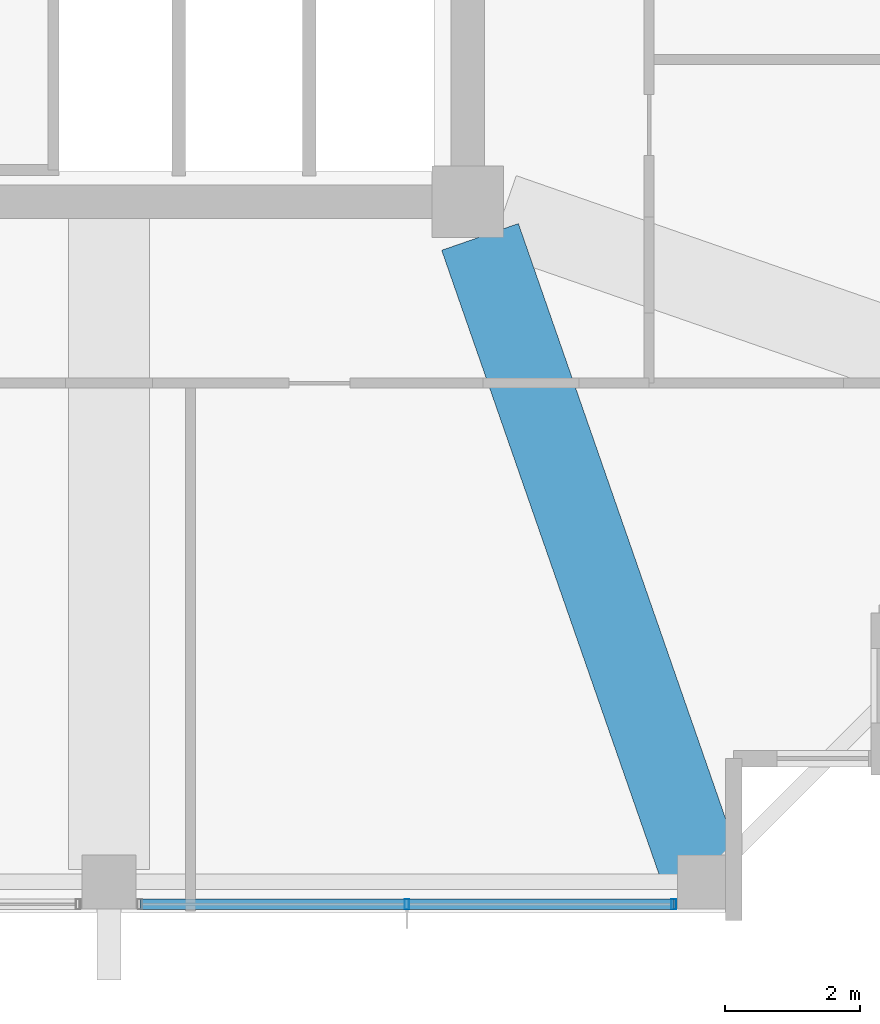
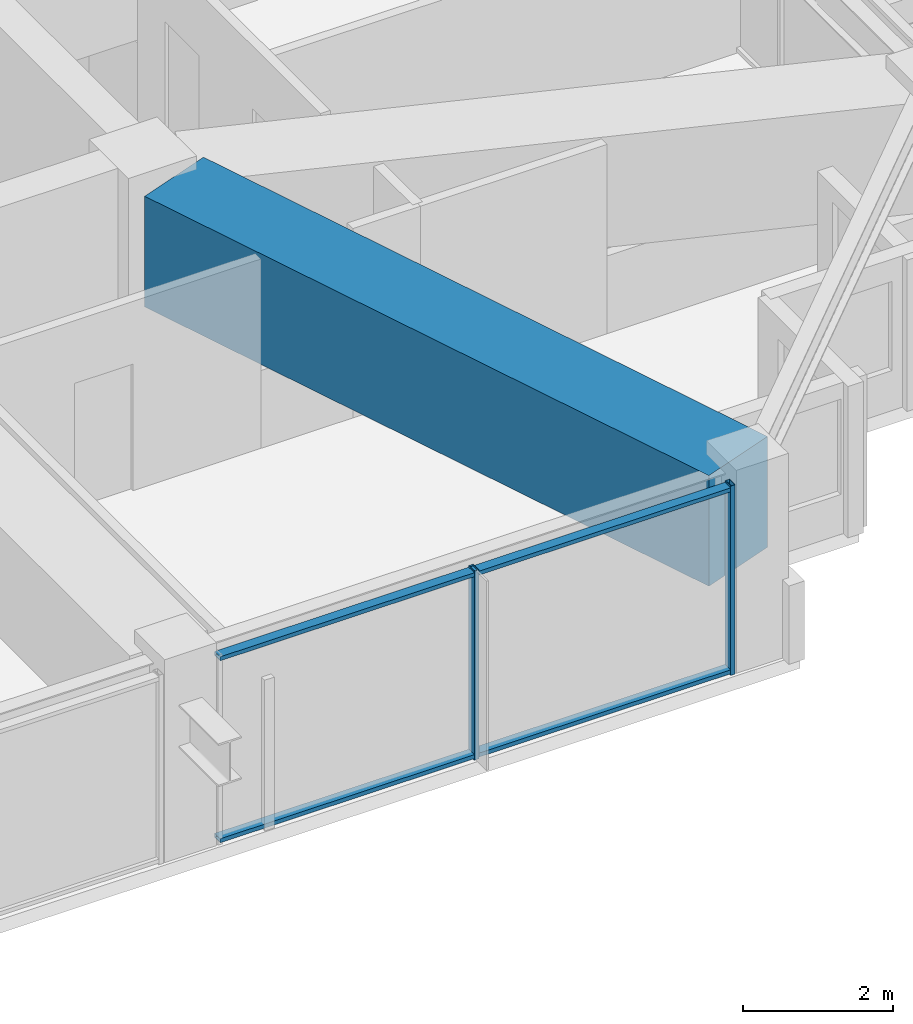
# One storey, part 11 of 35: 4 members, 1 beam, 1 element without a shape of its own.
"""IFC4 building model written with IfcOpenShell, lengths in metres."""

from ifc_helpers import new_model, si_unit, direction, frame, origin, origin_2d, place, context, subcontext, project, spatial, rectangle, hollow_rectangle, extrude, material, material_profile, profile_set, type_object, element, aggregate, save


model = new_model("IFC4")

# Units and contexts
model_context = context("Model", 3, precision=1e-05, world=origin(), true_north=direction((0.0, 1.0)))
body_context = subcontext(model_context, "Body", "Model", "MODEL_VIEW")
ifc_project = project(units=[si_unit("LENGTHUNIT", "METRE"), si_unit("AREAUNIT", "SQUARE_METRE"), si_unit("VOLUMEUNIT", "CUBIC_METRE"), si_unit("PLANEANGLEUNIT", "RADIAN"), si_unit("MASSUNIT", "GRAM", prefix="KILO")], contexts=[model_context])

# Site, building, storey
site_placement = place(None, origin())
site = spatial("IfcSite", under=ifc_project, at=site_placement, CompositionType="ELEMENT")
building_placement = place(site_placement, origin())
building = spatial("IfcBuilding", under=site, at=building_placement, Name="Kolvaren Belvedere", CompositionType="ELEMENT")
storey_placement = place(building_placement, frame((0.0, 0.0, 203.10009765625)))
storey = spatial("IfcBuildingStorey", under=building, at=storey_placement, Name="L59", CompositionType="ELEMENT", Elevation=203.10009765625)

# Beam
ifc_material_1 = material(Name="Concrete C50/60", Category="concrete")
ifc_material_profile_1 = material_profile(ifc_material_1, rectangle(XDim=1.199951171875, YDim=1.800048828125, at=origin_2d()), Name="RC 1200X1800")
ifc_profile_set_1 = profile_set([ifc_material_profile_1], Name="Concrete C50/60")
beam_type = type_object("IfcBeamType", Name="BM-TG-1800", PredefinedType="BEAM", material=ifc_profile_set_1)
beam_placement = place(storey_placement, frame((10.080810546875, -10.41943359375, 2.179931640625), z_axis=(0.328898147971, -0.944365399758, 0.0), x_axis=(0.944365399758, 0.328898147971, 0.0)))
element("IfcBeam", 1, at=beam_placement, inside=storey, type_object=beam_type, Name="L59 Corner Core-to-Perimeter Girder CC2-S4", PredefinedType="BEAM", context=body_context, shape_type="SweptSolid", body=[
    extrude(rectangle(XDim=1.199951171875, YDim=1.800048828125, at=origin_2d()), origin(), (0.0, 0.0, 1.0), 9.931884765625),
])

# Curtain wall, members
ifc_material_2 = material(Name="Anodised pale-metal aluminium AA 6063-T6", Category="aluminium")
curtain_wall_type = type_object("IfcCurtainWallType", Name="CW-Z5-HIGH", PredefinedType="NOTDEFINED", material=ifc_material_2)
curtain_wall_placement = place(storey_placement, origin())
curtain_wall = element("IfcCurtainWall", 2, at=curtain_wall_placement, inside=storey, type_object=curtain_wall_type, Name="L59 Unitised Curtain Wall FCW-L59-S-B1", PredefinedType="NOTDEFINED")
ifc_material_3 = material(Name="Anodised pale-metal aluminium AA 6063-T6", Category="aluminium")
ifc_material_profile_2 = material_profile(ifc_material_3, hollow_rectangle(XDim=0.070068359375, YDim=0.14990234375, WallThickness=0.004150390625, at=origin_2d()), Name="ALU-MUL-150X70")
ifc_profile_set_2 = profile_set([ifc_material_profile_2], Name="Anodised pale-metal aluminium AA 6063-T6")
member_type_1 = type_object("IfcMemberType", Name="CW-MUL-150", PredefinedType="MULLION", material=ifc_profile_set_2)
member_1_placement = place(storey_placement, frame((12.945068359375, -20.280029296875, 0.0), z_axis=(0.0, 0.0, 1.0), x_axis=(1.0, 0.0, 0.0)))
member_1 = element("IfcMember", 3, at=member_1_placement, type_object=member_type_1, Name="FCW-L59-S-B1 Unitised Mullion 1", PredefinedType="MULLION", context=body_context, shape_type="SweptSolid", body=[
    extrude(hollow_rectangle(XDim=0.070068359375, YDim=0.14990234375, WallThickness=0.004150390625, at=origin_2d()), origin(), (0.0, 0.0, 1.0), 3.079833984375),
])
member_2_placement = place(storey_placement, frame((9.0, -20.280029296875, 0.0), z_axis=(0.0, 0.0, 1.0), x_axis=(1.0, 0.0, 0.0)))
member_2 = element("IfcMember", 4, at=member_2_placement, type_object=member_type_1, Name="FCW-L59-S-B1 Unitised Mullion 2", PredefinedType="MULLION", context=body_context, shape_type="SweptSolid", body=[
    extrude(hollow_rectangle(XDim=0.070068359375, YDim=0.14990234375, WallThickness=0.004150390625, at=origin_2d()), origin(), (0.0, 0.0, 1.0), 3.079833984375),
])
ifc_material_4 = material(Name="Anodised pale-metal aluminium AA 6063-T6", Category="aluminium")
ifc_material_profile_3 = material_profile(ifc_material_4, hollow_rectangle(XDim=0.06494140625, YDim=0.14990234375, WallThickness=0.00390625, at=origin_2d()), Name="ALU-TRN-150X65")
ifc_profile_set_3 = profile_set([ifc_material_profile_3], Name="Anodised pale-metal aluminium AA 6063-T6")
member_type_2 = type_object("IfcMemberType", Name="CW-TRN-150", PredefinedType="USERDEFINED", material=ifc_profile_set_3)
member_3_placement = place(storey_placement, frame((12.945068359375, -20.280029296875, 0.059814453125), z_axis=(-1.0, 0.0, 0.0), x_axis=(0.0, 0.0, 1.0)))
member_3 = element("IfcMember", 5, at=member_3_placement, type_object=member_type_2, Name="FCW-L59-S-B1 Sill Transom", ObjectType="TRANSOM", PredefinedType="USERDEFINED", context=body_context, shape_type="SweptSolid", body=[
    extrude(hollow_rectangle(XDim=0.06494140625, YDim=0.14990234375, WallThickness=0.00390625, at=origin_2d()), origin(), (0.0, 0.0, 1.0), 7.89013671875),
])
member_4_placement = place(storey_placement, frame((12.945068359375, -20.280029296875, 3.02001953125), z_axis=(-1.0, 0.0, 0.0), x_axis=(0.0, 0.0, 1.0)))
member_4 = element("IfcMember", 6, at=member_4_placement, type_object=member_type_2, Name="FCW-L59-S-B1 Head Transom", ObjectType="TRANSOM", PredefinedType="USERDEFINED", context=body_context, shape_type="SweptSolid", body=[
    extrude(hollow_rectangle(XDim=0.06494140625, YDim=0.14990234375, WallThickness=0.00390625, at=origin_2d()), origin(), (0.0, 0.0, 1.0), 7.89013671875),
])
aggregate(curtain_wall, [member_1, member_2, member_3, member_4])

save(model, "model.ifc")
